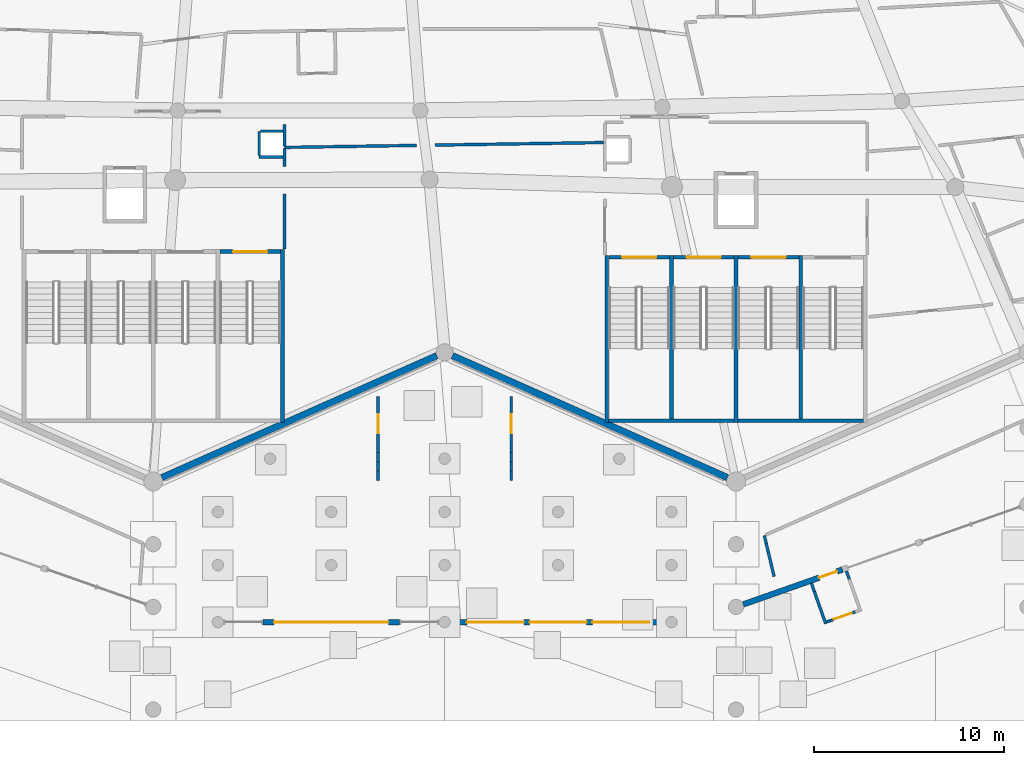
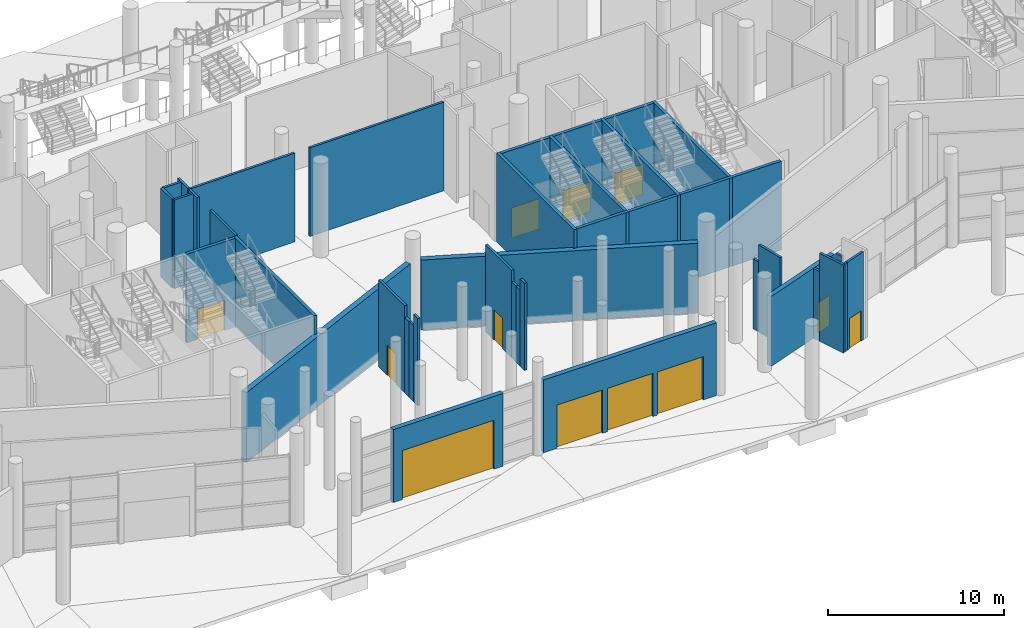
# One storey, part 117 of 255: 39 walls, 12 doors, 12 openings.
"""IFC4 building model written with IfcOpenShell, lengths in metres."""

from ifc_helpers import new_model, si_unit, direction, frame, frame_2d, origin, place, context, subcontext, project, spatial, rectangle, extrude, material, layer, layer_set, type_object, element, fill, save


model = new_model("IFC4")

# Units and contexts
model_context = context("Model", 3, precision=1e-05, world=origin(), true_north=direction((0.0, 1.0)))
body_context = subcontext(model_context, "Body", "Model", "MODEL_VIEW")
ifc_project = project(units=[si_unit("LENGTHUNIT", "METRE"), si_unit("AREAUNIT", "SQUARE_METRE"), si_unit("VOLUMEUNIT", "CUBIC_METRE"), si_unit("PLANEANGLEUNIT", "RADIAN"), si_unit("MASSUNIT", "GRAM", prefix="KILO")], contexts=[model_context])

# Site, building, storey
site_placement = place(None, origin())
site = spatial("IfcSite", under=ifc_project, at=site_placement, CompositionType="ELEMENT")
building_placement = place(site_placement, origin())
building = spatial("IfcBuilding", under=site, at=building_placement, Name="Meseta Stadium", CompositionType="ELEMENT")
storey_placement = place(building_placement, origin())
storey = spatial("IfcBuildingStorey", under=building, at=storey_placement, Name="L00", CompositionType="ELEMENT", Elevation=0.0)

# Walls
ifc_material_1 = material(Name="Concrete C40/50", Category="concrete")
ifc_layer_1 = layer(ifc_material_1, 0.199951171875)
ifc_layer_set_1 = layer_set([ifc_layer_1], Name="Core divider wall 200")
wall_type_1 = type_object("IfcWallType", Name="Core divider wall 200", PredefinedType="SHEAR", material=ifc_layer_set_1)
for number, where, z_axis, x_axis, name in (
    (1, (19.60009765625, -102.300048828125, 0.0), (0.0, 0.0, 1.0), (0.0, 1.0, 0.0), "Core 25 L00 stair A divider wall"),
    (2, (26.39990234375, -102.300048828125, 0.0), (0.0, 0.0, 1.0), (0.0, 1.0, 0.0), "Core 25 L00 stair B divider wall"),
):
    element("IfcWall", number, at=place(storey_placement, frame(where, z_axis=z_axis, x_axis=x_axis)), inside=storey, type_object=wall_type_1, Name=name, PredefinedType="SHEAR", context=body_context, shape_type="SweptSolid", body=[
        extrude(rectangle(XDim=8.800048828125, YDim=0.199951171875, at=frame_2d((4.39990234375, 0.0))), origin(), (0.0, 0.0, 1.0), 6.14990234375),
    ])
ifc_material_2 = material(Name="Concrete C40/50", Category="concrete")
ifc_layer_2 = layer(ifc_material_2, 0.199951171875)
ifc_layer_set_2 = layer_set([ifc_layer_2], Name="Core shaft wall 200")
wall_type_2 = type_object("IfcWallType", Name="Core shaft wall 200", PredefinedType="SHEAR", material=ifc_layer_set_2)
wall_1_placement = place(storey_placement, frame((-0.86669921875, -102.300048828125, 0.0), z_axis=(0.0, 0.0, 1.0), x_axis=(0.0, 1.0, 0.0)))
element("IfcWall", 3, at=wall_1_placement, inside=storey, type_object=wall_type_2, Name="Core 24 L00 stair wall B-side", PredefinedType="SHEAR", context=body_context, shape_type="SweptSolid", body=[
    extrude(rectangle(XDim=9.10009765625, YDim=0.199951171875, at=frame_2d((4.550048828125, 0.0))), origin(), (0.0, 0.0, 1.0), 6.14990234375),
])

# Wall, opening, door
wall_2_placement = place(storey_placement, frame((-4.166748046875, -93.300048828125, 0.0), z_axis=(0.0, 0.0, 1.0), x_axis=(1.0, 0.0, 0.0)))
wall_2 = element("IfcWall", 4, at=wall_2_placement, inside=storey, type_object=wall_type_2, Name="Core 24 L00 stair B2 inner end wall", PredefinedType="SHEAR", context=body_context, shape_type="SweptSolid", body=[
    extrude(rectangle(XDim=3.199951171875, YDim=0.199951171875, at=frame_2d((1.60009765625, 0.0))), origin(), (0.0, 0.0, 1.0), 6.14990234375),
])
opening_1_placement = place(wall_2_placement, frame((0.699951171875, 0.0, 0.0)))
opening_1 = element("IfcOpeningElement", 5, at=opening_1_placement, cuts=wall_2, Name="Opening D324", PredefinedType="OPENING", context=body_context, shape_type="SweptSolid", body=[
    extrude(rectangle(XDim=1.800048828125, YDim=2.10009765625, at=frame_2d((0.89990234375, 1.050048828125))), frame((0.0, 0.10986328125, 0.0), z_axis=(0.0, -1.0, 0.0), x_axis=(1.0, 0.0, 0.0)), (0.0, 0.0, 1.0), 0.219970703125),
])
ifc_material_3 = material(Name="Steel", Category="steel")
door_type_1 = type_object("IfcDoorType", Name="Stair door 1800x2100", OperationType="DOUBLE_DOOR_SINGLE_SWING", PredefinedType="DOOR", material=ifc_material_3)
door_1_placement = place(opening_1_placement, origin())
door_1 = element("IfcDoor", 6, at=door_1_placement, inside=storey, type_object=door_type_1, Name="Stair B2 door 24 L00", OperationType="DOUBLE_DOOR_SINGLE_SWING", OverallHeight=2.10009765625, OverallWidth=1.800048828125, PredefinedType="DOOR", context=body_context, shape_type="SweptSolid", body=[
    extrude(rectangle(XDim=1.800048828125, YDim=2.10009765625, at=frame_2d((0.89990234375, 1.050048828125))), frame((0.0, 0.02490234375, 0.0), z_axis=(0.0, -1.0, 0.0), x_axis=(1.0, 0.0, 0.0)), (0.0, 0.0, 1.0), 0.050048828125),
])
fill(opening_1, door_1)

# Walls
for number, where, z_axis, x_axis, name in (
    (7, (16.199951171875, -102.300048828125, 0.0), (0.0, 0.0, 1.0), (0.0, 1.0, 0.0), "Core 25 L00 stair wall A-side"),
    (8, (23.0, -102.300048828125, 0.0), (0.0, 0.0, 1.0), (0.0, 1.0, 0.0), "Core 25 L00 stair wall shared"),
):
    element("IfcWall", number, at=place(storey_placement, frame(where, z_axis=z_axis, x_axis=x_axis)), inside=storey, type_object=wall_type_2, Name=name, PredefinedType="SHEAR", context=body_context, shape_type="SweptSolid", body=[
        extrude(rectangle(XDim=8.800048828125, YDim=0.199951171875, at=frame_2d((4.39990234375, 0.0))), origin(), (0.0, 0.0, 1.0), 6.14990234375),
    ])
for number, where, z_axis, x_axis, name in (
    (9, (16.300048828125, -102.199951171875, 0.0), (0.0, 0.0, 1.0), (1.0, 0.0, 0.0), "Core 25 L00 stair A outer end wall"),
    (10, (23.10009765625, -102.199951171875, 0.0), (0.0, 0.0, 1.0), (1.0, 0.0, 0.0), "Core 25 L00 stair B outer end wall"),
):
    element("IfcWall", number, at=place(storey_placement, frame(where, z_axis=z_axis, x_axis=x_axis)), inside=storey, type_object=wall_type_2, Name=name, PredefinedType="SHEAR", context=body_context, shape_type="SweptSolid", body=[
        extrude(rectangle(XDim=6.599853515625, YDim=0.199951171875, at=frame_2d((3.2998046875, 0.0))), origin(), (0.0, 0.0, 1.0), 6.14990234375),
    ])

# Wall, opening, door
wall_3_placement = place(storey_placement, frame((16.300048828125, -93.60009765625, 0.0), z_axis=(0.0, 0.0, 1.0), x_axis=(1.0, 0.0, 0.0)))
wall_3 = element("IfcWall", 11, at=wall_3_placement, inside=storey, type_object=wall_type_2, Name="Core 25 L00 stair A1 inner end wall", PredefinedType="SHEAR", context=body_context, shape_type="SweptSolid", body=[
    extrude(rectangle(XDim=3.199951171875, YDim=0.199951171875, at=frame_2d((1.60009765625, 0.0))), origin(), (0.0, 0.0, 1.0), 6.14990234375),
])
opening_2_placement = place(wall_3_placement, frame((0.699951171875, 0.0, 0.0)))
opening_2 = element("IfcOpeningElement", 12, at=opening_2_placement, cuts=wall_3, Name="Opening D333", PredefinedType="OPENING", context=body_context, shape_type="SweptSolid", body=[
    extrude(rectangle(XDim=1.800048828125, YDim=2.10009765625, at=frame_2d((0.89990234375, 1.050048828125))), frame((0.0, 0.10986328125, 0.0), z_axis=(0.0, -1.0, 0.0), x_axis=(1.0, 0.0, 0.0)), (0.0, 0.0, 1.0), 0.219970703125),
])
door_2_placement = place(opening_2_placement, origin())
door_2 = element("IfcDoor", 13, at=door_2_placement, inside=storey, type_object=door_type_1, Name="Stair A1 door 25 L00", OperationType="DOUBLE_DOOR_SINGLE_SWING", OverallHeight=2.10009765625, OverallWidth=1.800048828125, PredefinedType="DOOR", context=body_context, shape_type="SweptSolid", body=[
    extrude(rectangle(XDim=1.800048828125, YDim=2.10009765625, at=frame_2d((0.89990234375, 1.050048828125))), frame((0.0, 0.02490234375, 0.0), z_axis=(0.0, -1.0, 0.0), x_axis=(1.0, 0.0, 0.0)), (0.0, 0.0, 1.0), 0.050048828125),
])
fill(opening_2, door_2)

wall_4_placement = place(storey_placement, frame((19.699951171875, -93.60009765625, 0.0), z_axis=(0.0, 0.0, 1.0), x_axis=(1.0, 0.0, 0.0)))
wall_4 = element("IfcWall", 14, at=wall_4_placement, inside=storey, type_object=wall_type_2, Name="Core 25 L00 stair A2 inner end wall", PredefinedType="SHEAR", context=body_context, shape_type="SweptSolid", body=[
    extrude(rectangle(XDim=3.199951171875, YDim=0.199951171875, at=frame_2d((1.60009765625, 0.0))), origin(), (0.0, 0.0, 1.0), 6.14990234375),
])
opening_3_placement = place(wall_4_placement, frame((0.699951171875, 0.0, 0.0)))
opening_3 = element("IfcOpeningElement", 15, at=opening_3_placement, cuts=wall_4, Name="Opening D334", PredefinedType="OPENING", context=body_context, shape_type="SweptSolid", body=[
    extrude(rectangle(XDim=1.800048828125, YDim=2.10009765625, at=frame_2d((0.89990234375, 1.050048828125))), frame((0.0, 0.10986328125, 0.0), z_axis=(0.0, -1.0, 0.0), x_axis=(1.0, 0.0, 0.0)), (0.0, 0.0, 1.0), 0.219970703125),
])
door_3_placement = place(opening_3_placement, origin())
door_3 = element("IfcDoor", 16, at=door_3_placement, inside=storey, type_object=door_type_1, Name="Stair A2 door 25 L00", OperationType="DOUBLE_DOOR_SINGLE_SWING", OverallHeight=2.10009765625, OverallWidth=1.800048828125, PredefinedType="DOOR", context=body_context, shape_type="SweptSolid", body=[
    extrude(rectangle(XDim=1.800048828125, YDim=2.10009765625, at=frame_2d((0.89990234375, 1.050048828125))), frame((0.0, 0.02490234375, 0.0), z_axis=(0.0, -1.0, 0.0), x_axis=(1.0, 0.0, 0.0)), (0.0, 0.0, 1.0), 0.050048828125),
])
fill(opening_3, door_3)

wall_5_placement = place(storey_placement, frame((23.10009765625, -93.60009765625, 0.0), z_axis=(0.0, 0.0, 1.0), x_axis=(1.0, 0.0, 0.0)))
wall_5 = element("IfcWall", 17, at=wall_5_placement, inside=storey, type_object=wall_type_2, Name="Core 25 L00 stair B1 inner end wall", PredefinedType="SHEAR", context=body_context, shape_type="SweptSolid", body=[
    extrude(rectangle(XDim=3.199951171875, YDim=0.199951171875, at=frame_2d((1.60009765625, 0.0))), origin(), (0.0, 0.0, 1.0), 6.14990234375),
])
opening_4_placement = place(wall_5_placement, frame((0.699951171875, 0.0, 0.0)))
opening_4 = element("IfcOpeningElement", 18, at=opening_4_placement, cuts=wall_5, Name="Opening D335", PredefinedType="OPENING", context=body_context, shape_type="SweptSolid", body=[
    extrude(rectangle(XDim=1.800048828125, YDim=2.10009765625, at=frame_2d((0.89990234375, 1.050048828125))), frame((0.0, 0.10986328125, 0.0), z_axis=(0.0, -1.0, 0.0), x_axis=(1.0, 0.0, 0.0)), (0.0, 0.0, 1.0), 0.219970703125),
])
door_4_placement = place(opening_4_placement, origin())
door_4 = element("IfcDoor", 19, at=door_4_placement, inside=storey, type_object=door_type_1, Name="Stair B1 door 25 L00", OperationType="DOUBLE_DOOR_SINGLE_SWING", OverallHeight=2.10009765625, OverallWidth=1.800048828125, PredefinedType="DOOR", context=body_context, shape_type="SweptSolid", body=[
    extrude(rectangle(XDim=1.800048828125, YDim=2.10009765625, at=frame_2d((0.89990234375, 1.050048828125))), frame((0.0, 0.02490234375, 0.0), z_axis=(0.0, -1.0, 0.0), x_axis=(1.0, 0.0, 0.0)), (0.0, 0.0, 1.0), 0.050048828125),
])
fill(opening_4, door_4)

ifc_material_4 = material(Name="Precast concrete C40/50", Category="concrete")
ifc_layer_3 = layer(ifc_material_4, 0.300048828125)
ifc_layer_set_3 = layer_set([ifc_layer_3], Name="Gate facade panel wall 300")
wall_type_3 = type_object("IfcWallType", Name="Gate facade panel wall 300", PredefinedType="SOLIDWALL", material=ifc_layer_set_3)
wall_6_placement = place(storey_placement, frame((5.300048828125, -112.800048828125, 0.0), z_axis=(0.0, 0.0, 1.0), x_axis=(-1.0, 0.0, 0.0)))
wall_6 = element("IfcWall", 20, at=wall_6_placement, inside=storey, type_object=wall_type_3, Name="Gate 7 entrance wall", PredefinedType="SOLIDWALL", context=body_context, shape_type="SweptSolid", body=[
    extrude(rectangle(XDim=7.199951171875, YDim=0.300048828125, at=frame_2d((3.60009765625, 0.0))), origin(), (0.0, 0.0, 1.0), 5.050048828125),
])
opening_5_placement = place(wall_6_placement, frame((0.60009765625, 0.0, 0.0)))
opening_5 = element("IfcOpeningElement", 21, at=opening_5_placement, cuts=wall_6, Name="Opening D023", PredefinedType="OPENING", context=body_context, shape_type="SweptSolid", body=[
    extrude(rectangle(XDim=6.0, YDim=3.39990234375, at=frame_2d((3.0, 1.699951171875))), frame((0.0, 0.159912109375, 0.0), z_axis=(0.0, -1.0, 0.0), x_axis=(1.0, 0.0, 0.0)), (0.0, 0.0, 1.0), 0.320068359375),
])
ifc_material_5 = material(Name="Steel", Category="steel")
door_type_2 = type_object("IfcDoorType", Name="Main entrance door 6000x3400", OperationType="DOUBLE_DOOR_SINGLE_SWING", PredefinedType="DOOR", material=ifc_material_5)
door_5_placement = place(opening_5_placement, origin())
door_5 = element("IfcDoor", 22, at=door_5_placement, inside=storey, type_object=door_type_2, Name="Main entrance E7", OperationType="DOUBLE_DOOR_SINGLE_SWING", OverallHeight=3.39990234375, OverallWidth=6.0, PredefinedType="DOOR", context=body_context, shape_type="SweptSolid", body=[
    extrude(rectangle(XDim=6.0, YDim=3.39990234375, at=frame_2d((3.0, 1.699951171875))), frame((0.0, 0.02490234375, 0.0), z_axis=(0.0, -1.0, 0.0), x_axis=(1.0, 0.0, 0.0)), (0.0, 0.0, 1.0), 0.050048828125),
])
fill(opening_5, door_5)

# Wall, openings, doors
wall_7_placement = place(storey_placement, frame((19.300048828125, -112.800048828125, 0.0), z_axis=(0.0, 0.0, 1.0), x_axis=(-1.0, 0.0, 0.0)))
wall_7 = element("IfcWall", 23, at=wall_7_placement, inside=storey, type_object=wall_type_3, Name="Gate 7 entrance wall", PredefinedType="SOLIDWALL", context=body_context, shape_type="SweptSolid", body=[
    extrude(rectangle(XDim=11.333251953125, YDim=0.300048828125, at=frame_2d((5.66650390625, 0.0))), origin(), (0.0, 0.0, 1.0), 5.050048828125),
])
opening_6_placement = place(wall_7_placement, frame((7.466796875, 0.0, 0.0)))
opening_6 = element("IfcOpeningElement", 24, at=opening_6_placement, cuts=wall_7, Name="Opening D024", PredefinedType="OPENING", context=body_context, shape_type="SweptSolid", body=[
    extrude(rectangle(XDim=3.0, YDim=3.0, at=frame_2d((1.5, 1.5))), frame((0.0, 0.159912109375, 0.0), z_axis=(0.0, -1.0, 0.0), x_axis=(1.0, 0.0, 0.0)), (0.0, 0.0, 1.0), 0.320068359375),
])
opening_7_placement = place(wall_7_placement, frame((4.166748046875, 0.0, 0.0)))
opening_7 = element("IfcOpeningElement", 25, at=opening_7_placement, cuts=wall_7, Name="Opening D025", PredefinedType="OPENING", context=body_context, shape_type="SweptSolid", body=[
    extrude(rectangle(XDim=3.0, YDim=3.0, at=frame_2d((1.5, 1.5))), frame((0.0, 0.159912109375, 0.0), z_axis=(0.0, -1.0, 0.0), x_axis=(1.0, 0.0, 0.0)), (0.0, 0.0, 1.0), 0.320068359375),
])
opening_8_placement = place(wall_7_placement, frame((0.86669921875, 0.0, 0.0)))
opening_8 = element("IfcOpeningElement", 26, at=opening_8_placement, cuts=wall_7, Name="Opening D026", PredefinedType="OPENING", context=body_context, shape_type="SweptSolid", body=[
    extrude(rectangle(XDim=3.0, YDim=3.0, at=frame_2d((1.5, 1.5))), frame((0.0, 0.159912109375, 0.0), z_axis=(0.0, -1.0, 0.0), x_axis=(1.0, 0.0, 0.0)), (0.0, 0.0, 1.0), 0.320068359375),
])
ifc_material_6 = material(Name="Steel", Category="steel")
door_type_3 = type_object("IfcDoorType", Name="Pedestrian exit door 3000x3000", OperationType="DOUBLE_DOOR_SINGLE_SWING", PredefinedType="DOOR", material=ifc_material_6)
door_6_placement = place(opening_6_placement, origin())
door_6 = element("IfcDoor", 27, at=door_6_placement, inside=storey, type_object=door_type_3, Name="Pedestrian exit gate G7", OperationType="DOUBLE_DOOR_SINGLE_SWING", OverallHeight=3.0, OverallWidth=3.0, PredefinedType="DOOR", context=body_context, shape_type="SweptSolid", body=[
    extrude(rectangle(XDim=3.0, YDim=3.0, at=frame_2d((1.5, 1.5))), frame((0.0, 0.02490234375, 0.0), z_axis=(0.0, -1.0, 0.0), x_axis=(1.0, 0.0, 0.0)), (0.0, 0.0, 1.0), 0.050048828125),
])
fill(opening_6, door_6)
door_7_placement = place(opening_7_placement, origin())
door_7 = element("IfcDoor", 28, at=door_7_placement, inside=storey, type_object=door_type_3, Name="Pedestrian exit gate G7", OperationType="DOUBLE_DOOR_SINGLE_SWING", OverallHeight=3.0, OverallWidth=3.0, PredefinedType="DOOR", context=body_context, shape_type="SweptSolid", body=[
    extrude(rectangle(XDim=3.0, YDim=3.0, at=frame_2d((1.5, 1.5))), frame((0.0, 0.02490234375, 0.0), z_axis=(0.0, -1.0, 0.0), x_axis=(1.0, 0.0, 0.0)), (0.0, 0.0, 1.0), 0.050048828125),
])
fill(opening_7, door_7)
door_8_placement = place(opening_8_placement, origin())
door_8 = element("IfcDoor", 29, at=door_8_placement, inside=storey, type_object=door_type_3, Name="Pedestrian exit gate G7", OperationType="DOUBLE_DOOR_SINGLE_SWING", OverallHeight=3.0, OverallWidth=3.0, PredefinedType="DOOR", context=body_context, shape_type="SweptSolid", body=[
    extrude(rectangle(XDim=3.0, YDim=3.0, at=frame_2d((1.5, 1.5))), frame((0.0, 0.02490234375, 0.0), z_axis=(0.0, -1.0, 0.0), x_axis=(1.0, 0.0, 0.0)), (0.0, 0.0, 1.0), 0.050048828125),
])
fill(opening_8, door_8)

# Wall, opening, door
ifc_material_7 = material(Name="Masonry blockwork", Category="masonry")
ifc_layer_4 = layer(ifc_material_7, 0.14990234375)
ifc_layer_set_4 = layer_set([ifc_layer_4], Name="Partition 150")
wall_type_4 = type_object("IfcWallType", Name="Partition 150", PredefinedType="PARTITIONING", material=ifc_layer_set_4)
wall_8_placement = place(storey_placement, frame((4.166748046875, -100.918212890625, 0.0), z_axis=(0.0, 0.0, 1.0), x_axis=(0.0, -1.0, 0.0)))
wall_8 = element("IfcWall", 30, at=wall_8_placement, inside=storey, type_object=wall_type_4, Name="Partition L00 G7-L00-0-SecurityScreening-0", PredefinedType="PARTITIONING", context=body_context, shape_type="SweptSolid", body=[
    extrude(rectangle(XDim=2.95458984375, YDim=0.14990234375, at=frame_2d((1.477294921875, 0.0))), origin(), (0.0, 0.0, 1.0), 6.050048828125),
])
opening_9_placement = place(wall_8_placement, frame((0.949951171875, 0.0, 0.0)))
opening_9 = element("IfcOpeningElement", 31, at=opening_9_placement, cuts=wall_8, Name="Opening D530", PredefinedType="OPENING", context=body_context, shape_type="SweptSolid", body=[
    extrude(rectangle(XDim=1.0, YDim=2.10009765625, at=frame_2d((0.5, 1.050048828125))), frame((0.0, 0.0849609375, 0.0), z_axis=(0.0, -1.0, 0.0), x_axis=(1.0, 0.0, 0.0)), (0.0, 0.0, 1.0), 0.169921875),
])
ifc_material_8 = material(Name="Steel", Category="steel")
door_type_4 = type_object("IfcDoorType", Name="Fire door 1000x2100 EI2 60", OperationType="NOTDEFINED", PredefinedType="DOOR", material=ifc_material_8)
door_9_placement = place(opening_9_placement, origin())
door_9 = element("IfcDoor", 32, at=door_9_placement, inside=storey, type_object=door_type_4, Name="Door D530", OperationType="SINGLE_SWING_LEFT", OverallHeight=2.10009765625, OverallWidth=1.0, PredefinedType="DOOR", context=body_context, shape_type="SweptSolid", body=[
    extrude(rectangle(XDim=1.0, YDim=2.10009765625, at=frame_2d((0.5, 1.050048828125))), frame((0.0, 0.02490234375, 0.0), z_axis=(0.0, -1.0, 0.0), x_axis=(1.0, 0.0, 0.0)), (0.0, 0.0, 1.0), 0.050048828125),
])
fill(opening_9, door_9)

# Walls
wall_9_placement = place(storey_placement, frame((4.166748046875, -103.872802734375, 0.0), z_axis=(0.0, 0.0, 1.0), x_axis=(0.0, -1.0, 0.0)))
element("IfcWall", 33, at=wall_9_placement, inside=storey, type_object=wall_type_4, Name="Partition L00 G7-L00-0-SecurityScreening-0", PredefinedType="PARTITIONING", context=body_context, shape_type="SweptSolid", body=[
    extrude(rectangle(XDim=0.4921875, YDim=0.14990234375, at=frame_2d((0.24609375, 0.0))), origin(), (0.0, 0.0, 1.0), 5.25),
])
wall_10_placement = place(storey_placement, frame((4.166748046875, -104.364990234375, 0.0), z_axis=(0.0, 0.0, 1.0), x_axis=(0.0, -1.0, 0.0)))
element("IfcWall", 34, at=wall_10_placement, inside=storey, type_object=wall_type_4, Name="Partition L00 G7-L00-0-SecurityScreening-0", PredefinedType="PARTITIONING", context=body_context, shape_type="SweptSolid", body=[
    extrude(rectangle(XDim=0.49267578125, YDim=0.14990234375, at=frame_2d((0.246337890625, 0.0))), origin(), (0.0, 0.0, 1.0), 5.25),
])
wall_11_placement = place(storey_placement, frame((4.166748046875, -104.857666015625, 0.0), z_axis=(0.0, 0.0, 1.0), x_axis=(0.0, -1.0, 0.0)))
element("IfcWall", 35, at=wall_11_placement, inside=storey, type_object=wall_type_4, Name="Partition L00 G7-L00-0-SecurityScreening-0", PredefinedType="PARTITIONING", context=body_context, shape_type="SweptSolid", body=[
    extrude(rectangle(XDim=0.492431640625, YDim=0.14990234375, at=frame_2d((0.24609375, 0.0))), origin(), (0.0, 0.0, 1.0), 6.050048828125),
])

# Wall, opening, door
wall_12_placement = place(storey_placement, frame((11.166748046875, -103.872802734375, 0.0), z_axis=(0.0, 0.0, 1.0), x_axis=(0.0, 1.0, 0.0)))
wall_12 = element("IfcWall", 36, at=wall_12_placement, inside=storey, type_object=wall_type_4, Name="Partition L00 G7-L00-1-TicketHall-0", PredefinedType="PARTITIONING", context=body_context, shape_type="SweptSolid", body=[
    extrude(rectangle(XDim=2.95458984375, YDim=0.14990234375, at=frame_2d((1.477294921875, 0.0))), origin(), (0.0, 0.0, 1.0), 6.050048828125),
])
opening_10_placement = place(wall_12_placement, frame((1.004638671875, 0.0, 0.0)))
opening_10 = element("IfcOpeningElement", 37, at=opening_10_placement, cuts=wall_12, Name="Opening D531", PredefinedType="OPENING", context=body_context, shape_type="SweptSolid", body=[
    extrude(rectangle(XDim=1.0, YDim=2.10009765625, at=frame_2d((0.5, 1.050048828125))), frame((0.0, 0.0849609375, 0.0), z_axis=(0.0, -1.0, 0.0), x_axis=(1.0, 0.0, 0.0)), (0.0, 0.0, 1.0), 0.169921875),
])
door_10_placement = place(opening_10_placement, origin())
door_10 = element("IfcDoor", 38, at=door_10_placement, inside=storey, type_object=door_type_4, Name="Door D531", OperationType="SINGLE_SWING_LEFT", OverallHeight=2.10009765625, OverallWidth=1.0, PredefinedType="DOOR", context=body_context, shape_type="SweptSolid", body=[
    extrude(rectangle(XDim=1.0, YDim=2.10009765625, at=frame_2d((0.5, 1.050048828125))), frame((0.0, 0.02490234375, 0.0), z_axis=(0.0, -1.0, 0.0), x_axis=(1.0, 0.0, 0.0)), (0.0, 0.0, 1.0), 0.050048828125),
])
fill(opening_10, door_10)

# Walls
wall_13_placement = place(storey_placement, frame((11.166748046875, -103.872802734375, 0.0), z_axis=(0.0, 0.0, 1.0), x_axis=(0.0, -1.0, 0.0)))
element("IfcWall", 39, at=wall_13_placement, inside=storey, type_object=wall_type_4, Name="Partition L00 G7-L00-1-TicketHall-0", PredefinedType="PARTITIONING", context=body_context, shape_type="SweptSolid", body=[
    extrude(rectangle(XDim=0.4921875, YDim=0.14990234375, at=frame_2d((0.24609375, 0.0))), origin(), (0.0, 0.0, 1.0), 5.25),
])
wall_14_placement = place(storey_placement, frame((11.166748046875, -104.364990234375, 0.0), z_axis=(0.0, 0.0, 1.0), x_axis=(0.0, -1.0, 0.0)))
element("IfcWall", 40, at=wall_14_placement, inside=storey, type_object=wall_type_4, Name="Partition L00 G7-L00-1-TicketHall-0", PredefinedType="PARTITIONING", context=body_context, shape_type="SweptSolid", body=[
    extrude(rectangle(XDim=0.49267578125, YDim=0.14990234375, at=frame_2d((0.246337890625, 0.0))), origin(), (0.0, 0.0, 1.0), 5.25),
])
wall_15_placement = place(storey_placement, frame((11.166748046875, -104.857666015625, 0.0), z_axis=(0.0, 0.0, 1.0), x_axis=(0.0, -1.0, 0.0)))
element("IfcWall", 41, at=wall_15_placement, inside=storey, type_object=wall_type_4, Name="Partition L00 G7-L00-1-TicketHall-0", PredefinedType="PARTITIONING", context=body_context, shape_type="SweptSolid", body=[
    extrude(rectangle(XDim=0.492431640625, YDim=0.14990234375, at=frame_2d((0.24609375, 0.0))), origin(), (0.0, 0.0, 1.0), 6.050048828125),
])
wall_16_placement = place(storey_placement, frame((16.02490234375, -87.5654296875, 0.0), z_axis=(0.0, 0.0, 1.0), x_axis=(-0.999882927084, -0.015301376583, 0.0)))
element("IfcWall", 42, at=wall_16_placement, inside=storey, type_object=wall_type_4, Name="Partition L00 L00-cell23-1-0", PredefinedType="PARTITIONING", context=body_context, shape_type="SweptSolid", body=[
    extrude(rectangle(XDim=8.855224609375, YDim=0.14990234375, at=frame_2d((4.427734375, 0.0))), origin(), (0.0, 0.0, 1.0), 6.14990234375),
])
wall_17_placement = place(storey_placement, frame((6.178466796875, -87.71630859375, 0.0), z_axis=(0.0, 0.0, 1.0), x_axis=(-0.999883104063, -0.01528980737, 0.0)))
element("IfcWall", 43, at=wall_17_placement, inside=storey, type_object=wall_type_4, Name="Partition L00 L00-cell23-1-0", PredefinedType="PARTITIONING", context=body_context, shape_type="SweptSolid", body=[
    extrude(rectangle(XDim=6.94580078125, YDim=0.14990234375, at=frame_2d((3.472900390625, 0.0))), origin(), (0.0, 0.0, 1.0), 6.14990234375),
])
wall_18_placement = place(storey_placement, frame((-0.7666015625, -87.74755859375, 0.0), z_axis=(0.0, 0.0, 1.0), x_axis=(0.0, 1.0, 0.0)))
element("IfcWall", 44, at=wall_18_placement, inside=storey, type_object=wall_type_4, Name="Partition L00 L00-cell23-1-0", PredefinedType="PARTITIONING", context=body_context, shape_type="SweptSolid", body=[
    extrude(rectangle(XDim=1.141845703125, YDim=0.14990234375, at=frame_2d((0.57080078125, 0.0))), origin(), (0.0, 0.0, 1.0), 6.14990234375),
])
wall_19_placement = place(storey_placement, frame((-0.7666015625, -93.159912109375, 0.0), z_axis=(0.0, 0.0, 1.0), x_axis=(0.0, 1.0, 0.0)))
element("IfcWall", 45, at=wall_19_placement, inside=storey, type_object=wall_type_4, Name="Partition L00 L00-cell23-2-0", PredefinedType="PARTITIONING", context=body_context, shape_type="SweptSolid", body=[
    extrude(rectangle(XDim=2.884033203125, YDim=0.14990234375, at=frame_2d((1.44189453125, 0.0))), origin(), (0.0, 0.0, 1.0), 6.14990234375),
])
wall_20_placement = place(storey_placement, frame((-0.7666015625, -88.833984375, 0.0), z_axis=(0.0, 0.0, 1.0), x_axis=(0.0, 1.0, 0.0)))
element("IfcWall", 46, at=wall_20_placement, inside=storey, type_object=wall_type_4, Name="Partition L00 L00-cell23-2-0", PredefinedType="PARTITIONING", context=body_context, shape_type="SweptSolid", body=[
    extrude(rectangle(XDim=0.96142578125, YDim=0.14990234375, at=frame_2d((0.480712890625, 0.0))), origin(), (0.0, 0.0, 1.0), 6.14990234375),
])
wall_21_placement = place(storey_placement, frame((24.998779296875, -110.39501953125, 0.0), z_axis=(0.0, 0.0, 1.0), x_axis=(-0.231589466369, 0.972813609623, 0.0)))
element("IfcWall", 47, at=wall_21_placement, inside=storey, type_object=wall_type_4, Name="Partition L00 L00-ring24-0", PredefinedType="PARTITIONING", context=body_context, shape_type="SweptSolid", body=[
    extrude(rectangle(XDim=1.77099609375, YDim=0.14990234375, at=frame_2d((0.885498046875, 0.0))), origin(), (0.0, 0.0, 1.0), 6.050048828125),
])
wall_22_placement = place(storey_placement, frame((24.588623046875, -108.672119140625, 0.0), z_axis=(0.0, 0.0, 1.0), x_axis=(-0.231620527306, 0.972806214685, 0.0)))
element("IfcWall", 48, at=wall_22_placement, inside=storey, type_object=wall_type_4, Name="Partition L00 L00-ring24-0", PredefinedType="PARTITIONING", context=body_context, shape_type="SweptSolid", body=[
    extrude(rectangle(XDim=0.442626953125, YDim=0.14990234375, at=frame_2d((0.22119140625, 0.0))), origin(), (0.0, 0.0, 1.0), 4.85009765625),
])
wall_23_placement = place(storey_placement, frame((-2.091796875, -88.324951171875, 0.0), z_axis=(0.0, 0.0, 1.0), x_axis=(1.0, 0.0, 0.0)))
element("IfcWall", 49, at=wall_23_placement, inside=storey, type_object=wall_type_4, Name="Pressurisation shaft wall L00 core 24", PredefinedType="PARTITIONING", context=body_context, shape_type="SweptSolid", body=[
    extrude(rectangle(XDim=1.2490234375, YDim=0.14990234375, at=frame_2d((0.62451171875, 0.0))), origin(), (0.0, 0.0, 1.0), 6.14990234375),
])
wall_24_placement = place(storey_placement, frame((-0.8427734375, -86.97509765625, 0.0), z_axis=(0.0, 0.0, 1.0), x_axis=(-1.0, 0.0, 0.0)))
element("IfcWall", 50, at=wall_24_placement, inside=storey, type_object=wall_type_4, Name="Pressurisation shaft wall L00 core 24", PredefinedType="PARTITIONING", context=body_context, shape_type="SweptSolid", body=[
    extrude(rectangle(XDim=1.173828125, YDim=0.14990234375, at=frame_2d((0.5869140625, 0.0))), origin(), (0.0, 0.0, 1.0), 6.14990234375),
])
wall_25_placement = place(storey_placement, frame((-2.091796875, -86.97509765625, 0.0), z_axis=(0.0, 0.0, 1.0), x_axis=(0.0, -1.0, 0.0)))
element("IfcWall", 51, at=wall_25_placement, inside=storey, type_object=wall_type_4, Name="Pressurisation shaft wall L00 core 24", PredefinedType="PARTITIONING", context=body_context, shape_type="SweptSolid", body=[
    extrude(rectangle(XDim=1.27490234375, YDim=0.14990234375, at=frame_2d((0.637451171875, 0.0))), origin(), (0.0, 0.0, 1.0), 6.14990234375),
])
for number, where, z_axis, x_axis, name in (
    (52, (28.806396484375, -110.1142578125, 0.0), (0.0, 0.0, 1.0), (0.332621430713, -0.943060434877, 0.0), "Partition L00 L00-ring24-0 vestibule"),
    (53, (26.96728515625, -110.761962890625, 0.0), (0.0, 0.0, 1.0), (0.332138720672, -0.943230549882, 0.0), "Partition L00 L00-ring24-0 vestibule"),
):
    element("IfcWall", number, at=place(storey_placement, frame(where, z_axis=z_axis, x_axis=x_axis)), inside=storey, type_object=wall_type_4, Name=name, PredefinedType="PARTITIONING", context=body_context, shape_type="SweptSolid", body=[
        extrude(rectangle(XDim=0.449951171875, YDim=0.14990234375, at=frame_2d((0.22509765625, 0.0))), origin(), (0.0, 0.0, 1.0), 4.85009765625),
    ])
wall_26_placement = place(storey_placement, frame((27.11669921875, -111.186279296875, 0.0), z_axis=(0.0, 0.0, 1.0), x_axis=(0.332174408782, -0.943217982308, 0.0)))
element("IfcWall", 54, at=wall_26_placement, inside=storey, type_object=wall_type_4, Name="Partition L00 L00-ring24-0 vestibule", PredefinedType="PARTITIONING", context=body_context, shape_type="SweptSolid", body=[
    extrude(rectangle(XDim=1.800048828125, YDim=0.14990234375, at=frame_2d((0.89990234375, 0.0))), origin(), (0.0, 0.0, 1.0), 6.10009765625),
])

# Wall, opening, door
wall_27_placement = place(storey_placement, frame((29.26953125, -112.257080078125, 0.0), z_axis=(0.0, 0.0, 1.0), x_axis=(-0.943247651759, -0.332090149584, 0.0)))
wall_27 = element("IfcWall", 55, at=wall_27_placement, inside=storey, type_object=wall_type_4, Name="Partition L00 L00-ring24-0 vestibule", PredefinedType="PARTITIONING", context=body_context, shape_type="SweptSolid", body=[
    extrude(rectangle(XDim=1.399658203125, YDim=0.14990234375, at=frame_2d((0.69970703125, 0.0))), origin(), (0.0, 0.0, 1.0), 6.10009765625),
])
opening_11_placement = place(wall_27_placement, frame((0.199951171875, 0.0, 0.0)))
opening_11 = element("IfcOpeningElement", 56, at=opening_11_placement, cuts=wall_27, Name="Opening D883", PredefinedType="OPENING", context=body_context, shape_type="SweptSolid", body=[
    extrude(rectangle(XDim=1.0, YDim=2.10009765625, at=frame_2d((0.5, 1.050048828125))), frame((0.0, 0.0849609375, 0.0), z_axis=(0.0, -1.0, 0.0), x_axis=(1.0, 0.0, 0.0)), (0.0, 0.0, 1.0), 0.169921875),
])
door_11_placement = place(opening_11_placement, origin())
door_11 = element("IfcDoor", 57, at=door_11_placement, inside=storey, type_object=door_type_4, Name="Vestibule door L00 L00-ring24-0", OperationType="SINGLE_SWING_RIGHT", OverallHeight=2.10009765625, OverallWidth=1.0, PredefinedType="DOOR", context=body_context, shape_type="SweptSolid", body=[
    extrude(rectangle(XDim=1.0, YDim=2.10009765625, at=frame_2d((0.5, 1.050048828125))), frame((0.0, 0.02490234375, 0.0), z_axis=(0.0, -1.0, 0.0), x_axis=(1.0, 0.0, 0.0)), (0.0, 0.0, 1.0), 0.050048828125),
])
fill(opening_11, door_11)

# Walls
wall_28_placement = place(storey_placement, frame((27.94921875, -112.721923828125, 0.0), z_axis=(0.0, 0.0, 1.0), x_axis=(-0.942922754758, -0.333011529171, 0.0)))
element("IfcWall", 58, at=wall_28_placement, inside=storey, type_object=wall_type_4, Name="Partition L00 L00-ring24-0 vestibule", PredefinedType="PARTITIONING", context=body_context, shape_type="SweptSolid", body=[
    extrude(rectangle(XDim=0.2001953125, YDim=0.14990234375, at=frame_2d((0.10009765625, 0.0))), origin(), (0.0, 0.0, 1.0), 6.10009765625),
])
ifc_material_9 = material(Name="White precast concrete C40/50", Category="concrete")
ifc_layer_5 = layer(ifc_material_9, 0.35009765625)
ifc_layer_set_5 = layer_set([ifc_layer_5], Name="Pleated panel wall 350 gate")
wall_type_5 = type_object("IfcWallType", Name="Pleated panel wall 350 gate", PredefinedType="SOLIDWALL", material=ifc_layer_set_5)
wall_29_placement = place(storey_placement, frame((7.255615234375, -98.7822265625, 0.0), z_axis=(0.0, 0.0, 1.0), x_axis=(-0.914136361455, -0.405406848322, 0.0)))
element("IfcWall", 59, at=wall_29_placement, inside=storey, type_object=wall_type_5, Name="Pleated facade panel L00 F46", PredefinedType="SOLIDWALL", context=body_context, shape_type="SweptSolid", body=[
    extrude(rectangle(XDim=15.82421875, YDim=0.35009765625, at=frame_2d((7.912109375, 0.0))), origin(), (0.0, 0.0, 1.0), 4.85009765625),
])
wall_30_placement = place(storey_placement, frame((22.54345703125, -105.197509765625, 0.0), z_axis=(0.0, 0.0, 1.0), x_axis=(-0.914138897099, 0.405401130748, 0.0)))
element("IfcWall", 60, at=wall_30_placement, inside=storey, type_object=wall_type_5, Name="Pleated facade panel L00 F47", PredefinedType="SOLIDWALL", context=body_context, shape_type="SweptSolid", body=[
    extrude(rectangle(XDim=15.824462890625, YDim=0.35009765625, at=frame_2d((7.912109375, 0.0))), origin(), (0.0, 0.0, 1.0), 4.85009765625),
])

# Wall, opening, door
ifc_material_10 = material(Name="Precast concrete C40/50", Category="concrete")
ifc_layer_6 = layer(ifc_material_10, 0.300048828125)
ifc_layer_set_6 = layer_set([ifc_layer_6], Name="Ring facade panel wall 300")
wall_type_6 = type_object("IfcWallType", Name="Ring facade panel wall 300", PredefinedType="SOLIDWALL", material=ifc_layer_set_6)
wall_31_placement = place(storey_placement, frame((28.591552734375, -110.03076171875, 0.0), z_axis=(0.0, 0.0, 1.0), x_axis=(-0.943213513301, -0.332187098373, 0.0)))
wall_31 = element("IfcWall", 61, at=wall_31_placement, inside=storey, type_object=wall_type_6, Name="Ring store panel wall F48a", PredefinedType="SOLIDWALL", context=body_context, shape_type="SweptSolid", body=[
    extrude(rectangle(XDim=5.5283203125, YDim=0.300048828125, at=frame_2d((2.76416015625, 0.0))), origin(), (0.0, 0.0, 1.0), 4.85009765625),
])
opening_12_placement = place(wall_31_placement, frame((0.300048828125, 0.0, 0.0)))
opening_12 = element("IfcOpeningElement", 62, at=opening_12_placement, cuts=wall_31, Name="Opening D636", PredefinedType="OPENING", context=body_context, shape_type="SweptSolid", body=[
    extrude(rectangle(XDim=1.0, YDim=2.10009765625, at=frame_2d((0.5, 1.050048828125))), frame((0.0, 0.159912109375, 0.0), z_axis=(0.0, -1.0, 0.0), x_axis=(1.0, 0.0, 0.0)), (0.0, 0.0, 1.0), 0.320068359375),
])
door_12_placement = place(opening_12_placement, origin())
door_12 = element("IfcDoor", 63, at=door_12_placement, inside=storey, type_object=door_type_4, Name="Door D636", OperationType="SINGLE_SWING_LEFT", OverallHeight=2.10009765625, OverallWidth=1.0, PredefinedType="DOOR", context=body_context, shape_type="SweptSolid", body=[
    extrude(rectangle(XDim=1.0, YDim=2.10009765625, at=frame_2d((0.5, 1.050048828125))), frame((0.0, 0.02490234375, 0.0), z_axis=(0.0, -1.0, 0.0), x_axis=(1.0, 0.0, 0.0)), (0.0, 0.0, 1.0), 0.050048828125),
])
fill(opening_12, door_12)

save(model, "model.ifc")
